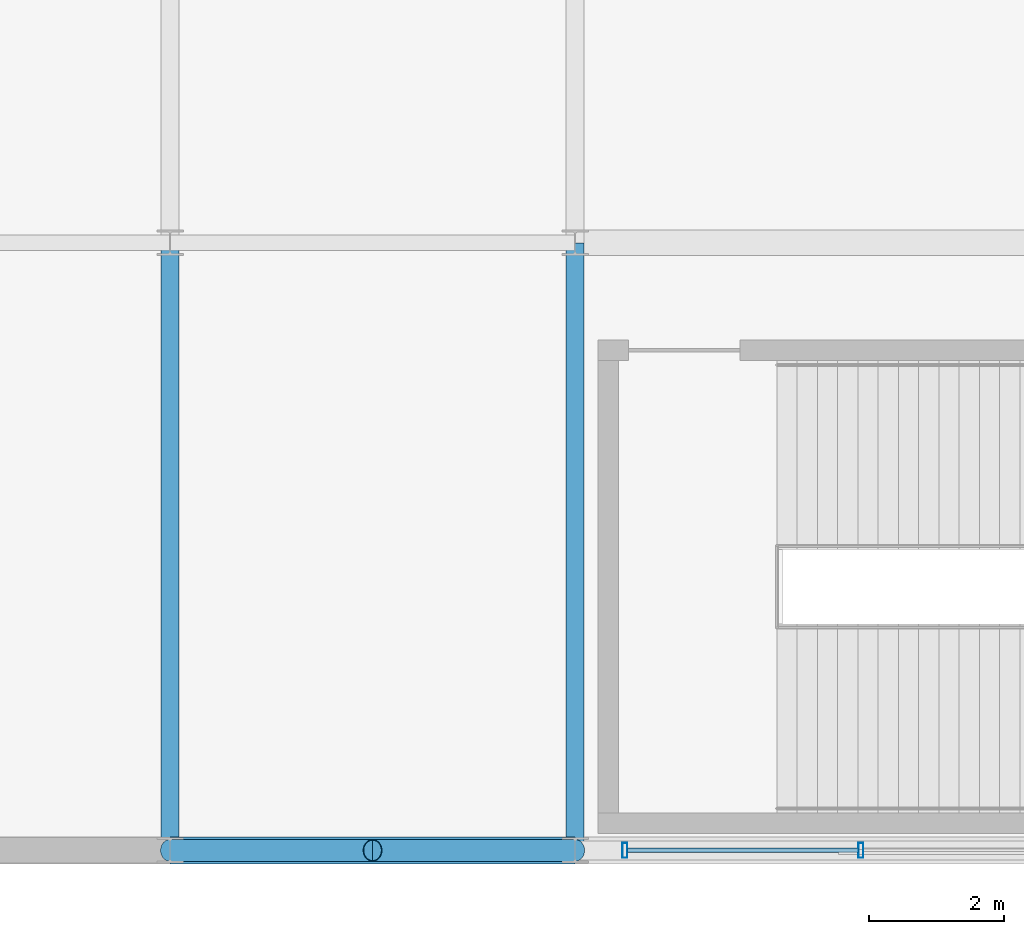
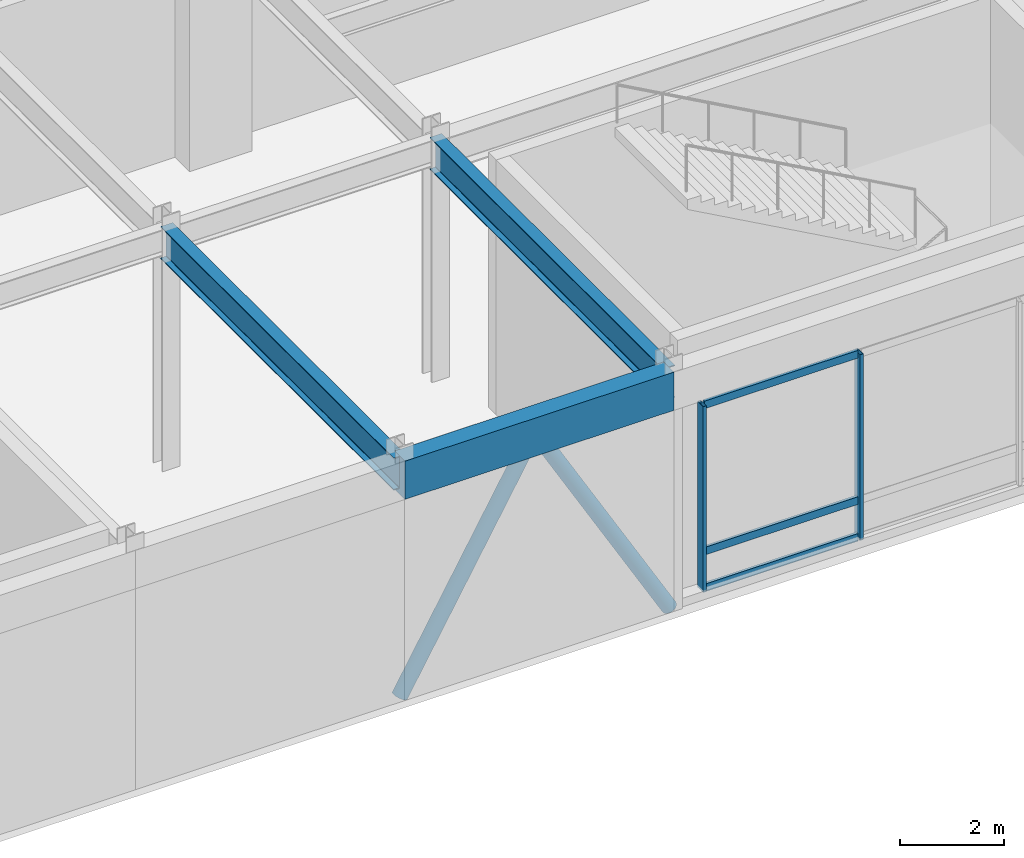
# One storey, part 33 of 108: 7 members, 3 beams, 1 element without a shape of its own.
"""IFC4 building model written with IfcOpenShell, lengths in metres."""

from ifc_helpers import new_model, si_unit, direction, frame, origin, origin_2d, place, context, subcontext, project, spatial, rectangle, hollow_rectangle, hollow_circle, i_section, extrude, material, material_profile, profile_set, type_object, element, aggregate, save


model = new_model("IFC4")

# Units and contexts
model_context = context("Model", 3, precision=1e-05, world=origin(), true_north=direction((0.0, 1.0)))
body_context = subcontext(model_context, "Body", "Model", "MODEL_VIEW")
ifc_project = project(units=[si_unit("LENGTHUNIT", "METRE"), si_unit("AREAUNIT", "SQUARE_METRE"), si_unit("VOLUMEUNIT", "CUBIC_METRE"), si_unit("PLANEANGLEUNIT", "RADIAN"), si_unit("MASSUNIT", "GRAM", prefix="KILO")], contexts=[model_context])

# Site, building, storey
site_placement = place(None, origin())
site = spatial("IfcSite", under=ifc_project, at=site_placement, CompositionType="ELEMENT")
building_placement = place(site_placement, origin())
building = spatial("IfcBuilding", under=site, at=building_placement, Name="Kaldorvane Square Convention Centre", CompositionType="ELEMENT")
storey_placement = place(building_placement, frame((0.0, 0.0, 12.0)))
storey = spatial("IfcBuildingStorey", under=building, at=storey_placement, Name="L02", CompositionType="ELEMENT", Elevation=12.0)

# Beams
ifc_material_1 = material(Name="Steel ASTM A992 Gr. 50", Category="steel")
ifc_material_profile_1 = material_profile(ifc_material_1, i_section(OverallWidth=0.2666015625, OverallDepth=0.762298583984375, WebThickness=0.014404296875, FlangeThickness=0.0216064453125, FilletRadius=0.0164947509765625, at=origin_2d()), Name="W30X116")
ifc_profile_set_1 = profile_set([ifc_material_profile_1], Name="Steel ASTM A992 Gr. 50")
beam_type_1 = type_object("IfcBeamType", Name="BM-GR-W30X116", PredefinedType="BEAM", material=ifc_profile_set_1)
for number, where, z_axis, x_axis, name in (
    (1, (96.0, 0.0, 5.264801025390625), (0.0, 1.0, 0.0), (-1.0, 0.0, 0.0), "Transverse Girder (L02)"),
    (2, (102.0, 0.0, 5.264801025390625), (0.0, 1.0, 0.0), (-1.0, 0.0, 0.0), "Transverse Girder (L02)"),
):
    element("IfcBeam", number, at=place(storey_placement, frame(where, z_axis=z_axis, x_axis=x_axis)), inside=storey, type_object=beam_type_1, Name=name, PredefinedType="BEAM", context=body_context, shape_type="SweptSolid", body=[
        extrude(i_section(OverallWidth=0.2666015625, OverallDepth=0.762298583984375, WebThickness=0.014404296875, FlangeThickness=0.0216064453125, FilletRadius=0.0164947509765625, at=origin_2d()), origin(), (0.0, 0.0, 1.0), 9.0),
    ])
ifc_material_2 = material(Name="Concrete f'c = 42 MPa (Normalweight)", Category="concrete")
ifc_material_profile_2 = material_profile(ifc_material_2, rectangle(XDim=0.399993896484375, YDim=0.899993896484375, at=origin_2d()), Name="RCSP900X400")
ifc_profile_set_2 = profile_set([ifc_material_profile_2], Name="Concrete f'c = 42 MPa (Normalweight)")
beam_type_2 = type_object("IfcBeamType", Name="BM-SP-RC900", PredefinedType="SPANDREL", material=ifc_profile_set_2)
beam_placement = place(storey_placement, frame((96.0, 0.0, 5.1959991455078125), z_axis=(1.0, 0.0, 0.0), x_axis=(0.0, 1.0, 0.0)))
element("IfcBeam", 3, at=beam_placement, inside=storey, type_object=beam_type_2, Name="Perimeter Spandrel (L02)", PredefinedType="SPANDREL", context=body_context, shape_type="SweptSolid", body=[
    extrude(rectangle(XDim=0.399993896484375, YDim=0.899993896484375, at=origin_2d()), origin(), (0.0, 0.0, 1.0), 6.0),
])

# Curtain wall, members
ifc_material_3 = material(Name="Anodized Aluminum and Low-E Insulated Glazing", Category="aluminium")
curtain_wall_type = type_object("IfcCurtainWallType", Name="CW-UNI-P60-12", PredefinedType="USERDEFINED", material=ifc_material_3)
curtain_wall_placement = place(storey_placement, origin())
curtain_wall = element("IfcCurtainWall", 4, at=curtain_wall_placement, inside=storey, type_object=curtain_wall_type, Name="Curtain Wall CW-01 (L02)", ObjectType="UNITISED GLAZING", PredefinedType="USERDEFINED")
ifc_material_profile_3 = material_profile(ifc_material_3, hollow_rectangle(XDim=0.0749969482421875, YDim=0.220001220703125, WallThickness=0.003997802734375, at=origin_2d()), Name="CWM-220X75")
ifc_profile_set_3 = profile_set([ifc_material_profile_3], Name="Anodized Aluminum and Low-E Insulated Glazing")
member_type_1 = type_object("IfcMemberType", Name="CW-MUL-220", PredefinedType="MULLION", material=ifc_profile_set_3)
member_1_placement = place(storey_placement, frame((102.73750305175781, 0.0, 0.149993896484375), z_axis=(0.0, 0.0, 1.0), x_axis=(1.0, 0.0, 0.0)))
member_1 = element("IfcMember", 5, at=member_1_placement, type_object=member_type_1, Name="CW-01 mullion 1", PredefinedType="MULLION", context=body_context, shape_type="SweptSolid", body=[
    extrude(hollow_rectangle(XDim=0.0749969482421875, YDim=0.220001220703125, WallThickness=0.003997802734375, at=origin_2d()), origin(), (0.0, 0.0, 1.0), 4.3800048828125),
])
member_2_placement = place(storey_placement, frame((106.23333740234375, 0.0, 0.149993896484375), z_axis=(0.0, 0.0, 1.0), x_axis=(1.0, 0.0, 0.0)))
member_2 = element("IfcMember", 6, at=member_2_placement, type_object=member_type_1, Name="CW-01 mullion 2", PredefinedType="MULLION", context=body_context, shape_type="SweptSolid", body=[
    extrude(hollow_rectangle(XDim=0.0749969482421875, YDim=0.220001220703125, WallThickness=0.003997802734375, at=origin_2d()), origin(), (0.0, 0.0, 1.0), 4.3800048828125),
])
ifc_material_profile_4 = material_profile(ifc_material_3, hollow_rectangle(XDim=0.06500244140625, YDim=0.17999267578125, WallThickness=0.0034942626953125, at=origin_2d()), Name="CWT-180X65")
ifc_profile_set_4 = profile_set([ifc_material_profile_4], Name="Anodized Aluminum and Low-E Insulated Glazing")
member_type_2 = type_object("IfcMemberType", Name="CW-TRN-180", PredefinedType="USERDEFINED", material=ifc_profile_set_4)
member_3_placement = place(storey_placement, frame((102.77499389648438, 0.0, 0.1824951171875), z_axis=(1.0, 0.0, 0.0), x_axis=(0.0, 1.0, 0.0)))
member_3 = element("IfcMember", 7, at=member_3_placement, type_object=member_type_2, Name="CW-01 transom 1.1", ObjectType="TRANSOM", PredefinedType="USERDEFINED", context=body_context, shape_type="SweptSolid", body=[
    extrude(hollow_rectangle(XDim=0.06500244140625, YDim=0.17999267578125, WallThickness=0.0034942626953125, at=origin_2d()), origin(), (0.0, 0.0, 1.0), 3.42083740234375),
])
member_4_placement = place(storey_placement, frame((102.77499389648438, 0.0, 1.0500030517578125), z_axis=(1.0, 0.0, 0.0), x_axis=(0.0, 1.0, 0.0)))
member_4 = element("IfcMember", 8, at=member_4_placement, type_object=member_type_2, Name="CW-01 transom 1.2", ObjectType="TRANSOM", PredefinedType="USERDEFINED", context=body_context, shape_type="SweptSolid", body=[
    extrude(hollow_rectangle(XDim=0.06500244140625, YDim=0.17999267578125, WallThickness=0.0034942626953125, at=origin_2d()), origin(), (0.0, 0.0, 1.0), 3.42083740234375),
])
member_5_placement = place(storey_placement, frame((102.77499389648438, 0.0, 4.49749755859375), z_axis=(1.0, 0.0, 0.0), x_axis=(0.0, 1.0, 0.0)))
member_5 = element("IfcMember", 9, at=member_5_placement, type_object=member_type_2, Name="CW-01 transom 1.3", ObjectType="TRANSOM", PredefinedType="USERDEFINED", context=body_context, shape_type="SweptSolid", body=[
    extrude(hollow_rectangle(XDim=0.06500244140625, YDim=0.17999267578125, WallThickness=0.0034942626953125, at=origin_2d()), origin(), (0.0, 0.0, 1.0), 3.42083740234375),
])
aggregate(curtain_wall, [member_1, member_2, member_3, member_4, member_5])

# Members
ifc_material_4 = material(Name="Steel ASTM A500 Gr. C", Category="steel")
ifc_material_profile_5 = material_profile(ifc_material_4, hollow_circle(Radius=0.161956787109375, WallThickness=0.0117950439453125, at=origin_2d()), Name="HSS12.750X0.500")
ifc_profile_set_5 = profile_set([ifc_material_profile_5], Name="Steel ASTM A500 Gr. C")
member_type_3 = type_object("IfcMemberType", Name="MB-BR-CHS12", PredefinedType="BRACE", material=ifc_profile_set_5)
for number, where, z_axis, x_axis, name in (
    (10, (96.0, 0.0, 0.0), (0.500011062033, 0.0, 0.866019017023), (0.0, 1.0, 0.0), "Seismic Chevron Brace Y0-B2A (L02)"),
    (11, (102.0, 0.0, 0.0), (-0.500011062033, 0.0, 0.866019017023), (0.0, -1.0, 0.0), "Seismic Chevron Brace Y0-B2B (L02)"),
):
    element("IfcMember", number, at=place(storey_placement, frame(where, z_axis=z_axis, x_axis=x_axis)), inside=storey, type_object=member_type_3, Name=name, PredefinedType="BRACE", context=body_context, shape_type="SweptSolid", body=[
        extrude(hollow_circle(Radius=0.161956787109375, WallThickness=0.0117950439453125, at=origin_2d()), origin(), (0.0, 0.0, 1.0), 5.9998626708984375),
    ])

save(model, "model.ifc")
